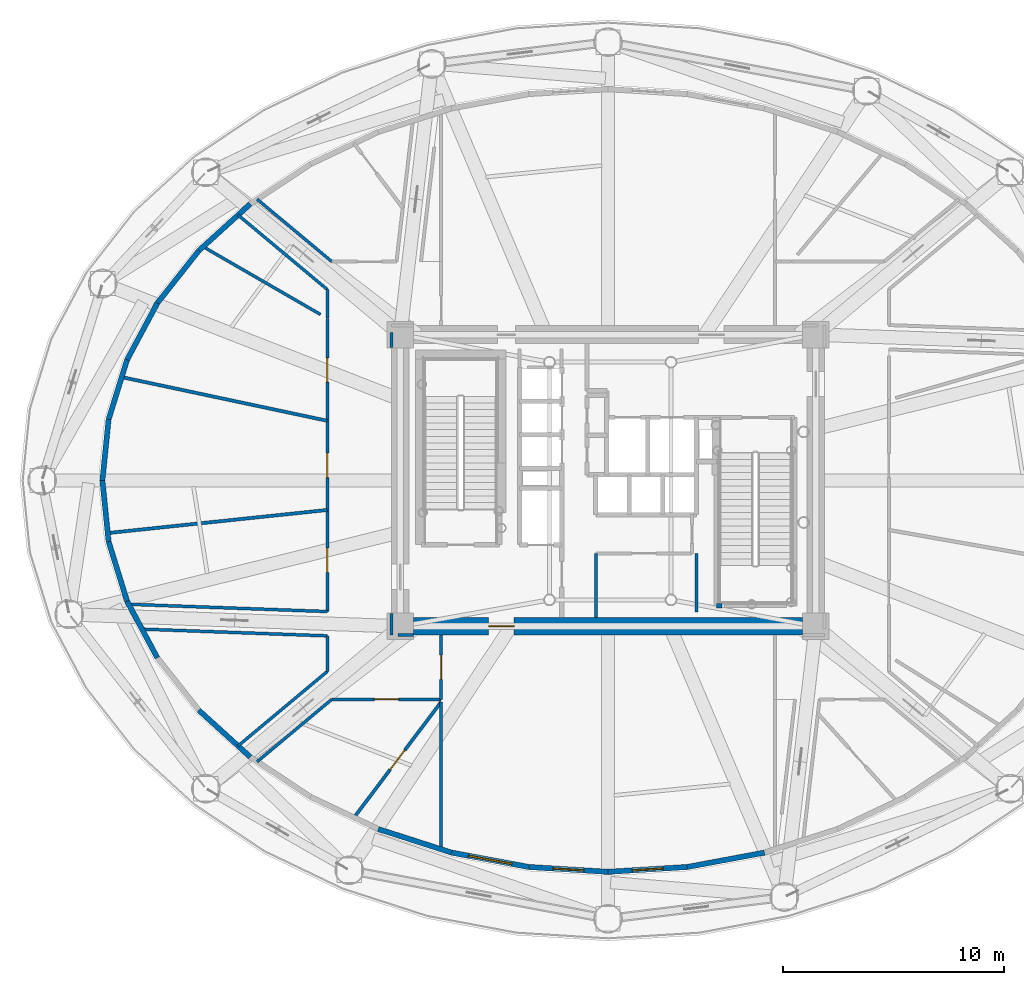
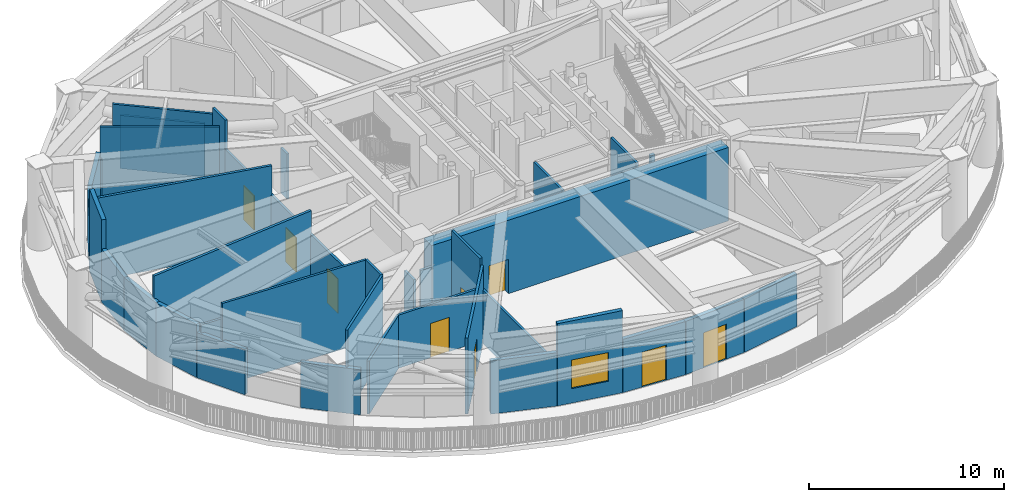
# One storey, part 10 of 20: 37 walls, 9 doors, 1 window, 10 openings.
"""IFC4 building model written with IfcOpenShell, lengths in metres."""

from ifc_helpers import new_model, si_unit, direction, frame, frame_2d, origin, origin_2d, place, context, subcontext, project, spatial, rectangle, extrude, source, transform, mapped, material, layer, layer_set, type_object, element, fill, save


model = new_model("IFC4")

# Units and contexts
model_context = context("Model", 3, precision=1e-05, world=origin(), true_north=direction((0.0, 1.0)))
body_context = subcontext(model_context, "Body", "Model", "MODEL_VIEW")
ifc_project = project(units=[si_unit("LENGTHUNIT", "METRE"), si_unit("AREAUNIT", "SQUARE_METRE"), si_unit("VOLUMEUNIT", "CUBIC_METRE"), si_unit("PLANEANGLEUNIT", "RADIAN"), si_unit("MASSUNIT", "GRAM", prefix="KILO")], contexts=[model_context])

# Site, building, storey
site_placement = place(None, origin())
site = spatial("IfcSite", under=ifc_project, at=site_placement, CompositionType="ELEMENT")
building_placement = place(site_placement, origin())
building = spatial("IfcBuilding", under=site, at=building_placement, Name="Linh Dai School and Residence Tower", CompositionType="ELEMENT")
storey_placement = place(building_placement, frame((0.0, 0.0, 204.89990234375)))
storey = spatial("IfcBuildingStorey", under=building, at=storey_placement, Name="L50", CompositionType="ELEMENT", Elevation=204.89990234375)

# Walls
ifc_material_1 = material(Name="Precast Concrete B45 (C35/45)", Category="concrete")
ifc_layer_1 = layer(ifc_material_1, 0.239990234375)
ifc_layer_set_1 = layer_set([ifc_layer_1], Name="Precast Concrete B45 (C35/45)")
wall_type_1 = type_object("IfcWallType", Name="EW-TC-240", PredefinedType="SOLIDWALL", material=ifc_layer_set_1)
wall_1_placement = place(storey_placement, frame((17.48388671875, 37.394775390625, 0.0), z_axis=(0.0, 0.0, 1.0), x_axis=(0.740466603827, 0.672093154716, 0.0)))
element("IfcWall", 1, at=wall_1_placement, inside=storey, type_object=wall_type_1, Name="L50 Terracotta Exterior Wall 16", PredefinedType="SOLIDWALL", context=body_context, shape_type="SweptSolid", body=[
    extrude(rectangle(XDim=3.145751953125, YDim=0.239990234375, at=frame_2d((1.57275390625, 0.0))), origin(), (0.0, 0.0, 1.0), 2.83203125),
])
wall_2_placement = place(storey_placement, frame((15.611328125, 35.02587890625, 0.0), z_axis=(0.0, 0.0, 1.0), x_axis=(0.620129139863, 0.784499744992, 0.0)))
element("IfcWall", 2, at=wall_2_placement, inside=storey, type_object=wall_type_1, Name="L50 Terracotta Exterior Wall 17", PredefinedType="SOLIDWALL", context=body_context, shape_type="SweptSolid", body=[
    extrude(rectangle(XDim=3.01953125, YDim=0.239990234375, at=frame_2d((1.509765625, 0.0))), origin(), (0.0, 0.0, 1.0), 3.335205078125),
])
wall_3_placement = place(storey_placement, frame((14.240966796875, 32.46142578125, 0.0), z_axis=(0.0, 0.0, 1.0), x_axis=(0.471298448495, 0.881973793514, 0.0)))
element("IfcWall", 3, at=wall_3_placement, inside=storey, type_object=wall_type_1, Name="L50 Terracotta Exterior Wall 18", PredefinedType="SOLIDWALL", context=body_context, shape_type="SweptSolid", body=[
    extrude(rectangle(XDim=2.90771484375, YDim=0.239990234375, at=frame_2d((1.453857421875, 0.0))), origin(), (0.0, 0.0, 1.0), 3.335205078125),
])
wall_4_placement = place(storey_placement, frame((13.40576171875, 29.76416015625, 0.0), z_axis=(0.0, 0.0, 1.0), x_axis=(0.295792689333, 0.955252157777, 0.0)))
element("IfcWall", 4, at=wall_4_placement, inside=storey, type_object=wall_type_1, Name="L50 Terracotta Exterior Wall 19", PredefinedType="SOLIDWALL", context=body_context, shape_type="SweptSolid", body=[
    extrude(rectangle(XDim=2.82373046875, YDim=0.239990234375, at=frame_2d((1.411865234375, 0.0))), origin(), (0.0, 0.0, 1.0), 5.150146484375),
])
for number, where, z_axis, x_axis, name in (
    (5, (13.125, 27.0, 0.0), (0.0, 0.0, 1.0), (0.101052224945, 0.994881122463, 0.0), "L50 Terracotta Exterior Wall 20"),
    (6, (13.40576171875, 24.23583984375, 0.0), (0.0, 0.0, 1.0), (-0.101052224945, 0.994881122463, 0.0), "L50 Terracotta Exterior Wall 21"),
):
    element("IfcWall", number, at=place(storey_placement, frame(where, z_axis=z_axis, x_axis=x_axis)), inside=storey, type_object=wall_type_1, Name=name, PredefinedType="SOLIDWALL", context=body_context, shape_type="SweptSolid", body=[
        extrude(rectangle(XDim=2.7783203125, YDim=0.239990234375, at=frame_2d((1.38916015625, 0.0))), origin(), (0.0, 0.0, 1.0), 3.335205078125),
    ])
wall_5_placement = place(storey_placement, frame((14.240966796875, 21.53857421875, 0.0), z_axis=(0.0, 0.0, 1.0), x_axis=(-0.295792689333, 0.955252157777, 0.0)))
element("IfcWall", 7, at=wall_5_placement, inside=storey, type_object=wall_type_1, Name="L50 Terracotta Exterior Wall 22", PredefinedType="SOLIDWALL", context=body_context, shape_type="SweptSolid", body=[
    extrude(rectangle(XDim=2.82373046875, YDim=0.239990234375, at=frame_2d((1.411865234375, 0.0))), origin(), (0.0, 0.0, 1.0), 3.335205078125),
])
wall_6_placement = place(storey_placement, frame((15.611328125, 18.97412109375, 0.0), z_axis=(0.0, 0.0, 1.0), x_axis=(-0.471298448495, 0.881973793514, 0.0)))
element("IfcWall", 8, at=wall_6_placement, inside=storey, type_object=wall_type_1, Name="L50 Terracotta Exterior Wall 23", PredefinedType="SOLIDWALL", context=body_context, shape_type="SweptSolid", body=[
    extrude(rectangle(XDim=2.90771484375, YDim=0.239990234375, at=frame_2d((1.453857421875, 0.0))), origin(), (0.0, 0.0, 1.0), 2.83203125),
])
wall_7_placement = place(storey_placement, frame((19.813232421875, 14.490966796875, 0.0), z_axis=(0.0, 0.0, 1.0), x_axis=(-0.740466603827, 0.672093154716, 0.0)))
element("IfcWall", 9, at=wall_7_placement, inside=storey, type_object=wall_type_1, Name="L50 Terracotta Exterior Wall 25", PredefinedType="SOLIDWALL", context=body_context, shape_type="SweptSolid", body=[
    extrude(rectangle(XDim=3.145751953125, YDim=0.239990234375, at=frame_2d((1.57275390625, 0.0))), origin(), (0.0, 0.0, 1.0), 2.83203125),
])
wall_8_placement = place(storey_placement, frame((28.923095703125, 10.163818359375, 0.0), z_axis=(0.0, 0.0, 1.0), x_axis=(-0.952120339323, 0.305723501629, 0.0)))
element("IfcWall", 10, at=wall_8_placement, inside=storey, type_object=wall_type_1, Name="L50 Terracotta Exterior Wall 28", PredefinedType="SOLIDWALL", context=body_context, shape_type="SweptSolid", body=[
    extrude(rectangle(XDim=3.48583984375, YDim=0.239990234375, at=frame_2d((1.742919921875, 0.0))), origin(), (0.0, 0.0, 1.0), 3.335205078125),
])

# Wall, opening, window
wall_9_placement = place(storey_placement, frame((32.417236328125, 9.513671875, 0.0), z_axis=(0.0, 0.0, 1.0), x_axis=(-0.983126314823, 0.182927988847, 0.0)))
wall_9 = element("IfcWall", 11, at=wall_9_placement, inside=storey, type_object=wall_type_1, Name="L50 Terracotta Exterior Wall 29", PredefinedType="SOLIDWALL", context=body_context, shape_type="SweptSolid", body=[
    extrude(rectangle(XDim=3.55419921875, YDim=0.239990234375, at=frame_2d((1.777099609375, 0.0))), origin(), (0.0, 0.0, 1.0), 5.150146484375),
])
opening_1_placement = place(wall_9_placement, frame((0.777099609375, 0.0, 0.89990234375)))
opening_1 = element("IfcOpeningElement", 12, at=opening_1_placement, cuts=wall_9, Name="Opening W5", PredefinedType="OPENING", context=body_context, shape_type="SweptSolid", body=[
    extrude(rectangle(XDim=2.0, YDim=1.800048828125, at=origin_2d()), frame((1.0, 0.1298828125, 0.89990234375), z_axis=(0.0, -1.0, 0.0), x_axis=(1.0, 0.0, 0.0)), (0.0, 0.0, 1.0), 0.260009765625),
])
ifc_material_2 = material(Name="Anodised Aluminium Weather Louvre", Category="aluminium")
window_type = type_object("IfcWindowType", Name="WN-LV-2000x1800", PartitioningType="SINGLE_PANEL", PredefinedType="USERDEFINED", material=ifc_material_2)
shared_shape_1 = source(origin(), body_context, "Body", "SweptSolid", [
    extrude(rectangle(XDim=2.0, YDim=1.800048828125, at=origin_2d()), frame((1.0, 0.030029296875, 0.89990234375), z_axis=(0.0, -1.0, 0.0), x_axis=(1.0, 0.0, 0.0)), (0.0, 0.0, 1.0), 0.06005859375),
])
window_placement = place(opening_1_placement, origin())
window = element("IfcWindow", 13, at=window_placement, inside=storey, type_object=window_type, Name="L50 Plant Weather Louvre 29", ObjectType="LOUVRE VENT", OverallHeight=1.800048828125, OverallWidth=2.0, PartitioningType="SINGLE_PANEL", PredefinedType="USERDEFINED", context=body_context, shape_type="MappedRepresentation", body=[
    mapped(shared_shape_1, transform((0.0, 0.0, 0.0), x_axis=(1.0, 0.0, 0.0), y_axis=(0.0, 1.0, 0.0), z_axis=(0.0, 0.0, 1.0), scale=1.0)),
])
fill(opening_1, window)

# Wall, opening, door
wall_10_placement = place(storey_placement, frame((36.0, 9.294921875, 0.0), z_axis=(0.0, 0.0, 1.0), x_axis=(-0.998141264339, 0.060942730688, 0.0)))
wall_10 = element("IfcWall", 14, at=wall_10_placement, inside=storey, type_object=wall_type_1, Name="L50 Terracotta Exterior Wall 30", PredefinedType="SOLIDWALL", context=body_context, shape_type="SweptSolid", body=[
    extrude(rectangle(XDim=3.58935546875, YDim=0.239990234375, at=frame_2d((1.794677734375, 0.0))), origin(), (0.0, 0.0, 1.0), 3.335205078125),
])
opening_2_placement = place(wall_10_placement, frame((1.0947265625, 0.0, 0.0)))
opening_2 = element("IfcOpeningElement", 15, at=opening_2_placement, cuts=wall_10, Name="Opening DD1", PredefinedType="OPENING", context=body_context, shape_type="SweptSolid", body=[
    extrude(rectangle(XDim=1.39990234375, YDim=2.199951171875, at=origin_2d()), frame((0.699951171875, 0.1298828125, 1.10009765625), z_axis=(0.0, -1.0, 0.0), x_axis=(1.0, 0.0, 0.0)), (0.0, 0.0, 1.0), 0.260009765625),
])
ifc_material_3 = material(Name="Glazed Aluminium Terrace Door", Category="aluminium")
door_type_1 = type_object("IfcDoorType", Name="DR-DECK-1400x2200", OperationType="NOTDEFINED", PredefinedType="DOOR", material=ifc_material_3)
shared_shape_2 = source(origin(), body_context, "Body", "SweptSolid", [
    extrude(rectangle(XDim=1.39990234375, YDim=2.199951171875, at=origin_2d()), frame((0.699951171875, 0.02490234375, 1.10009765625), z_axis=(0.0, -1.0, 0.0), x_axis=(1.0, 0.0, 0.0)), (0.0, 0.0, 1.0), 0.050048828125),
])
door_1_placement = place(opening_2_placement, origin())
door_1 = element("IfcDoor", 16, at=door_1_placement, inside=storey, type_object=door_type_1, Name="L50 Outdoor Terrace Access Door 30", OperationType="SINGLE_SWING_LEFT", OverallHeight=2.199951171875, OverallWidth=1.39990234375, PredefinedType="DOOR", context=body_context, shape_type="MappedRepresentation", body=[
    mapped(shared_shape_2, transform((0.0, 0.0, 0.0), x_axis=(1.0, 0.0, 0.0), y_axis=(0.0, 1.0, 0.0), z_axis=(0.0, 0.0, 1.0), scale=1.0)),
])
fill(opening_2, door_1)

wall_11_placement = place(storey_placement, frame((39.582763671875, 9.513671875, 0.0), z_axis=(0.0, 0.0, 1.0), x_axis=(-0.998141264339, -0.060942730688, 0.0)))
wall_11 = element("IfcWall", 17, at=wall_11_placement, inside=storey, type_object=wall_type_1, Name="L50 Terracotta Exterior Wall 31", PredefinedType="SOLIDWALL", context=body_context, shape_type="SweptSolid", body=[
    extrude(rectangle(XDim=3.58935546875, YDim=0.239990234375, at=frame_2d((1.794677734375, 0.0))), origin(), (0.0, 0.0, 1.0), 3.335205078125),
])
opening_3_placement = place(wall_11_placement, frame((1.0947265625, 0.0, 0.0)))
opening_3 = element("IfcOpeningElement", 18, at=opening_3_placement, cuts=wall_11, Name="Opening DD1", PredefinedType="OPENING", context=body_context, shape_type="SweptSolid", body=[
    extrude(rectangle(XDim=1.39990234375, YDim=2.199951171875, at=origin_2d()), frame((0.699951171875, 0.1298828125, 1.10009765625), z_axis=(0.0, -1.0, 0.0), x_axis=(1.0, 0.0, 0.0)), (0.0, 0.0, 1.0), 0.260009765625),
])
door_2_placement = place(opening_3_placement, origin())
door_2 = element("IfcDoor", 19, at=door_2_placement, inside=storey, type_object=door_type_1, Name="L50 Outdoor Terrace Access Door 31", OperationType="SINGLE_SWING_RIGHT", OverallHeight=2.199951171875, OverallWidth=1.39990234375, PredefinedType="DOOR", context=body_context, shape_type="MappedRepresentation", body=[
    mapped(shared_shape_2, transform((0.0, 0.0, 0.0), x_axis=(1.0, 0.0, 0.0), y_axis=(0.0, 1.0, 0.0), z_axis=(0.0, 0.0, 1.0), scale=1.0)),
])
fill(opening_3, door_2)

# Walls
wall_12_placement = place(storey_placement, frame((43.076904296875, 10.163818359375, 0.0), z_axis=(0.0, 0.0, 1.0), x_axis=(-0.983126314823, -0.182927988847, 0.0)))
element("IfcWall", 20, at=wall_12_placement, inside=storey, type_object=wall_type_1, Name="L50 Terracotta Exterior Wall 32", PredefinedType="SOLIDWALL", context=body_context, shape_type="SweptSolid", body=[
    extrude(rectangle(XDim=3.55419921875, YDim=0.239990234375, at=frame_2d((1.777099609375, 0.0))), origin(), (0.0, 0.0, 1.0), 3.335205078125),
])
ifc_material_4 = material(Name="Autoclaved Aerated Concrete Blockwork", Category="masonry")
ifc_layer_2 = layer(ifc_material_4, 0.135009765625)
ifc_layer_set_2 = layer_set([ifc_layer_2], Name="Autoclaved Aerated Concrete Blockwork")
wall_type_2 = type_object("IfcWallType", Name="IW-CORR-135-EI90", PredefinedType="PARTITIONING", material=ifc_layer_set_2)
wall_13_placement = place(storey_placement, frame((14.31005859375, 21.39892578125, 0.0), z_axis=(0.0, 0.0, 1.0), x_axis=(0.999334578921, -0.036474640145, 0.0)))
element("IfcWall", 21, at=wall_13_placement, inside=storey, type_object=wall_type_2, Name="L50 Interior Partition Wall 003", PredefinedType="PARTITIONING", context=body_context, shape_type="SweptSolid", body=[
    extrude(rectangle(XDim=8.99609375, YDim=0.135009765625, at=frame_2d((4.498046875, 0.0))), origin(), (0.0, 0.0, 1.0), 3.335205078125),
])
for number, where, z_axis, x_axis, name in (
    (22, (20.126220703125, 14.27783203125, 0.0), (0.0, 0.0, 1.0), (0.767584642719, 0.640947592446, 0.0), "L50 Interior Partition Wall 004"),
    (23, (20.126220703125, 39.72216796875, 0.0), (0.0, 0.0, 1.0), (0.767584642719, -0.640947592446, 0.0), "L50 Interior Partition Wall 005"),
):
    element("IfcWall", number, at=place(storey_placement, frame(where, z_axis=z_axis, x_axis=x_axis)), inside=storey, type_object=wall_type_2, Name=name, PredefinedType="PARTITIONING", context=body_context, shape_type="SweptSolid", body=[
        extrude(rectangle(XDim=4.4033203125, YDim=0.135009765625, at=frame_2d((2.20166015625, 0.0))), origin(), (0.0, 0.0, 1.0), 3.335205078125),
    ])

# Wall, openings, doors
wall_14_placement = place(storey_placement, frame((23.300048828125, 21.07080078125, 0.0), z_axis=(0.0, 0.0, 1.0), x_axis=(0.0, 1.0, 0.0)))
wall_14 = element("IfcWall", 24, at=wall_14_placement, inside=storey, type_object=wall_type_2, Name="L50 Interior Partition Wall 006", PredefinedType="PARTITIONING", context=body_context, shape_type="SweptSolid", body=[
    extrude(rectangle(XDim=13.261474609375, YDim=0.135009765625, at=frame_2d((6.630859375, 0.0))), origin(), (0.0, 0.0, 1.0), 3.335205078125),
])
opening_4_placement = place(wall_14_placement, frame((10.375, 0.0, 0.0)))
opening_4 = element("IfcOpeningElement", 25, at=opening_4_placement, cuts=wall_14, Name="Opening D07", PredefinedType="OPENING", context=body_context, shape_type="SweptSolid", body=[
    extrude(rectangle(XDim=1.10009765625, YDim=2.14990234375, at=origin_2d()), frame((0.550048828125, 0.07763671875, 1.074951171875), z_axis=(0.0, -1.0, 0.0), x_axis=(1.0, 0.0, 0.0)), (0.0, 0.0, 1.0), 0.155029296875),
])
opening_5_placement = place(wall_14_placement, frame((6.0615234375, 0.0, 0.0)))
opening_5 = element("IfcOpeningElement", 26, at=opening_5_placement, cuts=wall_14, Name="Opening D07", PredefinedType="OPENING", context=body_context, shape_type="SweptSolid", body=[
    extrude(rectangle(XDim=1.10009765625, YDim=2.14990234375, at=origin_2d()), frame((0.550048828125, 0.07763671875, 1.074951171875), z_axis=(0.0, -1.0, 0.0), x_axis=(1.0, 0.0, 0.0)), (0.0, 0.0, 1.0), 0.155029296875),
])
opening_6_placement = place(wall_14_placement, frame((1.76708984375, 0.0, 0.0)))
opening_6 = element("IfcOpeningElement", 27, at=opening_6_placement, cuts=wall_14, Name="Opening D07", PredefinedType="OPENING", context=body_context, shape_type="SweptSolid", body=[
    extrude(rectangle(XDim=1.10009765625, YDim=2.14990234375, at=origin_2d()), frame((0.550048828125, 0.07763671875, 1.074951171875), z_axis=(0.0, -1.0, 0.0), x_axis=(1.0, 0.0, 0.0)), (0.0, 0.0, 1.0), 0.155029296875),
])
ifc_material_5 = material(Name="Fire-Rated Louvred Steel Plant Door", Category="steel")
door_type_2 = type_object("IfcDoorType", Name="DR-PLT-1100x2150-FD60S", OperationType="NOTDEFINED", PredefinedType="DOOR", material=ifc_material_5)
shared_shape_3 = source(origin(), body_context, "Body", "SweptSolid", [
    extrude(rectangle(XDim=1.10009765625, YDim=2.14990234375, at=origin_2d()), frame((0.550048828125, 0.02490234375, 1.074951171875), z_axis=(0.0, -1.0, 0.0), x_axis=(1.0, 0.0, 0.0)), (0.0, 0.0, 1.0), 0.050048828125),
])
door_3_placement = place(opening_4_placement, origin())
door_3 = element("IfcDoor", 28, at=door_3_placement, inside=storey, type_object=door_type_2, Name="L50 Heat-Recovery Ventilation Plant Room West 1 Door", OperationType="SINGLE_SWING_LEFT", OverallHeight=2.14990234375, OverallWidth=1.10009765625, PredefinedType="DOOR", context=body_context, shape_type="MappedRepresentation", body=[
    mapped(shared_shape_3, transform((0.0, 0.0, 0.0), x_axis=(1.0, 0.0, 0.0), y_axis=(0.0, 1.0, 0.0), z_axis=(0.0, 0.0, 1.0), scale=1.0)),
])
fill(opening_4, door_3)
door_4_placement = place(opening_5_placement, origin())
door_4 = element("IfcDoor", 29, at=door_4_placement, inside=storey, type_object=door_type_2, Name="L50 Chilled-Water Heat-Exchanger Plant Room West Door", OperationType="SINGLE_SWING_RIGHT", OverallHeight=2.14990234375, OverallWidth=1.10009765625, PredefinedType="DOOR", context=body_context, shape_type="MappedRepresentation", body=[
    mapped(shared_shape_3, transform((0.0, 0.0, 0.0), x_axis=(1.0, 0.0, 0.0), y_axis=(0.0, 1.0, 0.0), z_axis=(0.0, 0.0, 1.0), scale=1.0)),
])
fill(opening_5, door_4)
door_5_placement = place(opening_6_placement, origin())
door_5 = element("IfcDoor", 30, at=door_5_placement, inside=storey, type_object=door_type_2, Name="L50 Heat-Recovery Ventilation Plant Room West 2 Door", OperationType="SINGLE_SWING_LEFT", OverallHeight=2.14990234375, OverallWidth=1.10009765625, PredefinedType="DOOR", context=body_context, shape_type="MappedRepresentation", body=[
    mapped(shared_shape_3, transform((0.0, 0.0, 0.0), x_axis=(1.0, 0.0, 0.0), y_axis=(0.0, 1.0, 0.0), z_axis=(0.0, 0.0, 1.0), scale=1.0)),
])
fill(opening_6, door_5)

# Wall, opening, door
wall_15_placement = place(storey_placement, frame((23.506103515625, 17.10009765625, 0.0), z_axis=(0.0, 0.0, 1.0), x_axis=(1.0, 0.0, 0.0)))
wall_15 = element("IfcWall", 31, at=wall_15_placement, inside=storey, type_object=wall_type_2, Name="L50 Interior Partition Wall 007", PredefinedType="PARTITIONING", context=body_context, shape_type="SweptSolid", body=[
    extrude(rectangle(XDim=4.94384765625, YDim=0.135009765625, at=frame_2d((2.471923828125, 0.0))), origin(), (0.0, 0.0, 1.0), 3.335205078125),
])
opening_7_placement = place(wall_15_placement, frame((1.922119140625, 0.0, 0.0)))
opening_7 = element("IfcOpeningElement", 32, at=opening_7_placement, cuts=wall_15, Name="Opening D07", PredefinedType="OPENING", context=body_context, shape_type="SweptSolid", body=[
    extrude(rectangle(XDim=1.10009765625, YDim=2.14990234375, at=origin_2d()), frame((0.550048828125, 0.07763671875, 1.074951171875), z_axis=(0.0, -1.0, 0.0), x_axis=(1.0, 0.0, 0.0)), (0.0, 0.0, 1.0), 0.155029296875),
])
door_6_placement = place(opening_7_placement, origin())
door_6 = element("IfcDoor", 33, at=door_6_placement, inside=storey, type_object=door_type_2, Name="L50 Stair Pressurisation Fan Plant Room Door", OperationType="SINGLE_SWING_RIGHT", OverallHeight=2.14990234375, OverallWidth=1.10009765625, PredefinedType="DOOR", context=body_context, shape_type="MappedRepresentation", body=[
    mapped(shared_shape_3, transform((0.0, 0.0, 0.0), x_axis=(1.0, 0.0, 0.0), y_axis=(0.0, 1.0, 0.0), z_axis=(0.0, 0.0, 1.0), scale=1.0)),
])
fill(opening_7, door_6)

# Wall
wall_16_placement = place(storey_placement, frame((28.449951171875, 10.310546875, 0.0), z_axis=(0.0, 0.0, 1.0), x_axis=(0.0, 1.0, 0.0)))
element("IfcWall", 34, at=wall_16_placement, inside=storey, type_object=wall_type_2, Name="L50 Interior Partition Wall 013", PredefinedType="PARTITIONING", context=body_context, shape_type="SweptSolid", body=[
    extrude(rectangle(XDim=6.670166015625, YDim=0.135009765625, at=frame_2d((3.3349609375, 0.0))), origin(), (0.0, 0.0, 1.0), 3.335205078125),
])

# Wall, opening, door
wall_17_placement = place(storey_placement, frame((28.449951171875, 17.10009765625, 0.0), z_axis=(0.0, 0.0, 1.0), x_axis=(0.0, 1.0, 0.0)))
wall_17 = element("IfcWall", 35, at=wall_17_placement, inside=storey, type_object=wall_type_2, Name="L50 Interior Partition Wall 014", PredefinedType="PARTITIONING", context=body_context, shape_type="SweptSolid", body=[
    extrude(rectangle(XDim=2.89990234375, YDim=0.135009765625, at=frame_2d((1.449951171875, 0.0))), origin(), (0.0, 0.0, 1.0), 5.150146484375),
])
opening_8_placement = place(wall_17_placement, frame((0.89990234375, 0.0, 0.0)))
opening_8 = element("IfcOpeningElement", 36, at=opening_8_placement, cuts=wall_17, Name="Opening D07", PredefinedType="OPENING", context=body_context, shape_type="SweptSolid", body=[
    extrude(rectangle(XDim=1.10009765625, YDim=2.14990234375, at=origin_2d()), frame((0.550048828125, 0.07763671875, 1.074951171875), z_axis=(0.0, -1.0, 0.0), x_axis=(1.0, 0.0, 0.0)), (0.0, 0.0, 1.0), 0.155029296875),
])
door_7_placement = place(opening_8_placement, origin())
door_7 = element("IfcDoor", 37, at=door_7_placement, inside=storey, type_object=door_type_2, Name="L50 Pressurised Fire Refuge Area South Corridor Door", OperationType="SINGLE_SWING_LEFT", OverallHeight=2.14990234375, OverallWidth=1.10009765625, PredefinedType="DOOR", context=body_context, shape_type="MappedRepresentation", body=[
    mapped(shared_shape_3, transform((0.0, 0.0, 0.0), x_axis=(1.0, 0.0, 0.0), y_axis=(0.0, 1.0, 0.0), z_axis=(0.0, 0.0, 1.0), scale=1.0)),
])
fill(opening_8, door_7)

# Walls
wall_18_placement = place(storey_placement, frame((35.449951171875, 20.800048828125, 0.0), z_axis=(0.0, 0.0, 1.0), x_axis=(0.0, 1.0, 0.0)))
element("IfcWall", 38, at=wall_18_placement, inside=storey, type_object=wall_type_2, Name="L50 Interior Partition Wall 030", PredefinedType="PARTITIONING", context=body_context, shape_type="SweptSolid", body=[
    extrude(rectangle(XDim=2.89990234375, YDim=0.135009765625, at=frame_2d((1.449951171875, 0.0))), origin(), (0.0, 0.0, 1.0), 4.735107421875),
])
wall_19_placement = place(storey_placement, frame((40.0, 23.699951171875, 0.0), z_axis=(0.0, 0.0, 1.0), x_axis=(0.0, -1.0, 0.0)))
element("IfcWall", 39, at=wall_19_placement, inside=storey, type_object=wall_type_2, Name="L50 Interior Partition Wall 057", PredefinedType="PARTITIONING", context=body_context, shape_type="SweptSolid", body=[
    extrude(rectangle(XDim=2.639892578125, YDim=0.135009765625, at=frame_2d((1.31982421875, 0.0))), origin(), (0.0, 0.0, 1.0), 4.68505859375),
])
wall_20_placement = place(storey_placement, frame((19.25927734375, 14.987060546875, 0.0), z_axis=(0.0, 0.0, 1.0), x_axis=(0.767593674455, 0.640936776084, 0.0)))
element("IfcWall", 40, at=wall_20_placement, inside=storey, type_object=wall_type_2, Name="L50 Interior Partition Wall 062", PredefinedType="PARTITIONING", context=body_context, shape_type="SweptSolid", body=[
    extrude(rectangle(XDim=5.26416015625, YDim=0.135009765625, at=frame_2d((2.632080078125, 0.0))), origin(), (0.0, 0.0, 1.0), 5.150146484375),
])
wall_21_placement = place(storey_placement, frame((23.300048828125, 18.361083984375, 0.0), z_axis=(0.0, 0.0, 1.0), x_axis=(0.0, 1.0, 0.0)))
element("IfcWall", 41, at=wall_21_placement, inside=storey, type_object=wall_type_2, Name="L50 Interior Partition Wall 063", PredefinedType="PARTITIONING", context=body_context, shape_type="SweptSolid", body=[
    extrude(rectangle(XDim=1.60888671875, YDim=0.135009765625, at=frame_2d((0.804443359375, 0.0))), origin(), (0.0, 0.0, 1.0), 5.150146484375),
])
wall_22_placement = place(storey_placement, frame((23.300048828125, 19.969970703125, 0.0), z_axis=(0.0, 0.0, 1.0), x_axis=(-0.999334920323, 0.036465285168, 0.0)))
element("IfcWall", 42, at=wall_22_placement, inside=storey, type_object=wall_type_2, Name="L50 Interior Partition Wall 064", PredefinedType="PARTITIONING", context=body_context, shape_type="SweptSolid", body=[
    extrude(rectangle(XDim=8.395751953125, YDim=0.135009765625, at=frame_2d((4.19775390625, 0.0))), origin(), (0.0, 0.0, 1.0), 5.150146484375),
])
wall_23_placement = place(storey_placement, frame((23.300048828125, 34.34228515625, 0.0), z_axis=(0.0, 0.0, 1.0), x_axis=(0.0, 1.0, 0.0)))
element("IfcWall", 43, at=wall_23_placement, inside=storey, type_object=wall_type_2, Name="L50 Interior Partition Wall 065", PredefinedType="PARTITIONING", context=body_context, shape_type="SweptSolid", body=[
    extrude(rectangle(XDim=1.296630859375, YDim=0.135009765625, at=frame_2d((0.6484375, 0.0))), origin(), (0.0, 0.0, 1.0), 5.150146484375),
])
wall_24_placement = place(storey_placement, frame((23.300048828125, 35.638916015625, 0.0), z_axis=(0.0, 0.0, 1.0), x_axis=(-0.767593674455, 0.640936776084, 0.0)))
element("IfcWall", 44, at=wall_24_placement, inside=storey, type_object=wall_type_2, Name="L50 Interior Partition Wall 066", PredefinedType="PARTITIONING", context=body_context, shape_type="SweptSolid", body=[
    extrude(rectangle(XDim=5.26416015625, YDim=0.135009765625, at=frame_2d((2.632080078125, 0.0))), origin(), (0.0, 0.0, 1.0), 4.775146484375),
])
wall_25_placement = place(storey_placement, frame((26.199951171875, 33.6923828125, 0.0), z_axis=(0.0, 0.0, 1.0), x_axis=(0.0, -1.0, 0.0)))
element("IfcWall", 45, at=wall_25_placement, inside=storey, type_object=wall_type_2, Name="L50 Interior Partition Wall 069", PredefinedType="PARTITIONING", context=body_context, shape_type="SweptSolid", body=[
    extrude(rectangle(XDim=0.682373046875, YDim=0.135009765625, at=frame_2d((0.34130859375, 0.0))), origin(), (0.0, 0.0, 1.0), 2.83203125),
])
wall_26_placement = place(storey_placement, frame((26.199951171875, 20.989990234375, 0.0), z_axis=(0.0, 0.0, 1.0), x_axis=(0.0, -1.0, 0.0)))
element("IfcWall", 46, at=wall_26_placement, inside=storey, type_object=wall_type_2, Name="L50 Interior Partition Wall 070", PredefinedType="PARTITIONING", context=body_context, shape_type="SweptSolid", body=[
    extrude(rectangle(XDim=0.989990234375, YDim=0.135009765625, at=frame_2d((0.4951171875, 0.0))), origin(), (0.0, 0.0, 1.0), 2.83203125),
])
wall_27_placement = place(storey_placement, frame((26.507568359375, 20.0, 0.0), z_axis=(0.0, 0.0, 1.0), x_axis=(1.0, 0.0, 0.0)))
element("IfcWall", 47, at=wall_27_placement, inside=storey, type_object=wall_type_2, Name="L50 Interior Partition Wall 071", PredefinedType="PARTITIONING", context=body_context, shape_type="SweptSolid", body=[
    extrude(rectangle(XDim=0.682373046875, YDim=0.135009765625, at=frame_2d((0.34130859375, 0.0))), origin(), (0.0, 0.0, 1.0), 3.335205078125),
])
wall_28_placement = place(storey_placement, frame((17.67822265625, 37.578125, 0.0), z_axis=(0.0, 0.0, 1.0), x_axis=(0.866011333796, -0.500024369143, 0.0)))
element("IfcWall", 48, at=wall_28_placement, inside=storey, type_object=wall_type_2, Name="L50 Interior Partition Wall 089", PredefinedType="PARTITIONING", context=body_context, shape_type="SweptSolid", body=[
    extrude(rectangle(XDim=6.136474609375, YDim=0.135009765625, at=frame_2d((3.068359375, 0.0))), origin(), (0.0, 0.0, 1.0), 4.775146484375),
])
ifc_layer_3 = layer(ifc_material_4, 0.14990234375)
ifc_layer_set_3 = layer_set([ifc_layer_3], Name="Autoclaved Aerated Concrete Blockwork")
wall_type_3 = type_object("IfcWallType", Name="IW-SCH-150-EI60", PredefinedType="PARTITIONING", material=ifc_layer_set_3)
wall_29_placement = place(storey_placement, frame((13.361572265625, 24.62060546875, 0.0), z_axis=(0.0, 0.0, 1.0), x_axis=(0.994520836792, 0.104538534456, 0.0)))
element("IfcWall", 49, at=wall_29_placement, inside=storey, type_object=wall_type_3, Name="L50 Interior Partition Wall 001", PredefinedType="PARTITIONING", context=body_context, shape_type="SweptSolid", body=[
    extrude(rectangle(XDim=9.9931640625, YDim=0.14990234375, at=frame_2d((4.99658203125, 0.0))), origin(), (0.0, 0.0, 1.0), 4.775146484375),
])
wall_30_placement = place(storey_placement, frame((13.9931640625, 31.677734375, 0.0), z_axis=(0.0, 0.0, 1.0), x_axis=(0.978146915509, -0.207914914519, 0.0)))
element("IfcWall", 50, at=wall_30_placement, inside=storey, type_object=wall_type_3, Name="L50 Interior Partition Wall 002", PredefinedType="PARTITIONING", context=body_context, shape_type="SweptSolid", body=[
    extrude(rectangle(XDim=9.514892578125, YDim=0.14990234375, at=frame_2d((4.75732421875, 0.0))), origin(), (0.0, 0.0, 1.0), 5.150146484375),
])

# Wall, opening, door
wall_31_placement = place(storey_placement, frame((24.50537109375, 11.74609375, 0.0), z_axis=(0.0, 0.0, 1.0), x_axis=(0.601816154286, 0.798634657675, 0.0)))
wall_31 = element("IfcWall", 51, at=wall_31_placement, inside=storey, type_object=wall_type_3, Name="L50 Interior Partition Wall 009", PredefinedType="PARTITIONING", context=body_context, shape_type="SweptSolid", body=[
    extrude(rectangle(XDim=6.554443359375, YDim=0.14990234375, at=frame_2d((3.27734375, 0.0))), origin(), (0.0, 0.0, 1.0), 4.775146484375),
])
opening_9_placement = place(wall_31_placement, frame((2.727294921875, 0.0, 0.0)))
opening_9 = element("IfcOpeningElement", 52, at=opening_9_placement, cuts=wall_31, Name="Opening D07", PredefinedType="OPENING", context=body_context, shape_type="SweptSolid", body=[
    extrude(rectangle(XDim=1.10009765625, YDim=2.14990234375, at=origin_2d()), frame((0.550048828125, 0.0849609375, 1.074951171875), z_axis=(0.0, -1.0, 0.0), x_axis=(1.0, 0.0, 0.0)), (0.0, 0.0, 1.0), 0.169921875),
])
door_8_placement = place(opening_9_placement, origin())
door_8 = element("IfcDoor", 53, at=door_8_placement, inside=storey, type_object=door_type_2, Name="L50 Smoke Extract Fan Plant Room Door", OperationType="SINGLE_SWING_LEFT", OverallHeight=2.14990234375, OverallWidth=1.10009765625, PredefinedType="DOOR", context=body_context, shape_type="MappedRepresentation", body=[
    mapped(shared_shape_3, transform((0.0, 0.0, 0.0), x_axis=(1.0, 0.0, 0.0), y_axis=(0.0, 1.0, 0.0), z_axis=(0.0, 0.0, 1.0), scale=1.0)),
])
fill(opening_9, door_8)

# Wall
ifc_material_6 = material(Name="Concrete B45 (C35/45)", Category="concrete")
ifc_layer_4 = layer(ifc_material_6, 0.199951171875)
ifc_layer_set_4 = layer_set([ifc_layer_4], Name="Concrete B45 (C35/45)")
wall_type_4 = type_object("IfcWallType", Name="IW-SHAFT-200-EI120", PredefinedType="PARTITIONING", material=ifc_layer_set_4)
wall_32_placement = place(storey_placement, frame((40.89990234375, 21.330078125, 0.0), z_axis=(0.0, 0.0, 1.0), x_axis=(1.0, 0.0, 0.0)))
element("IfcWall", 54, at=wall_32_placement, inside=storey, type_object=wall_type_4, Name="L50 Interior Partition Wall 043", PredefinedType="PARTITIONING", context=body_context, shape_type="SweptSolid", body=[
    extrude(rectangle(XDim=0.25, YDim=0.199951171875, at=frame_2d((0.125, 0.0))), origin(), (0.0, 0.0, 1.0), 4.68505859375),
])

# Wall, opening, door
ifc_material_7 = material(Name="Concrete B60 (C50/60)", Category="concrete")
ifc_layer_5 = layer(ifc_material_7, 0.800048828125)
ifc_layer_set_5 = layer_set([ifc_layer_5], Name="Concrete B60 (C50/60)")
wall_type_5 = type_object("IfcWallType", Name="WL-CORE800", PredefinedType="SHEAR", material=ifc_layer_set_5)
wall_33_placement = place(storey_placement, frame((44.800048828125, 20.39990234375, 0.0), z_axis=(0.0, 0.0, 1.0), x_axis=(-1.0, 0.0, 0.0)))
wall_33 = element("IfcWall", 55, at=wall_33_placement, inside=storey, type_object=wall_type_5, Name="L50 Central Core Shear Wall S", PredefinedType="SHEAR", context=body_context, shape_type="SweptSolid", body=[
    extrude(rectangle(XDim=17.60009765625, YDim=0.800048828125, at=frame_2d((8.800048828125, 0.0))), origin(), (0.0, 0.0, 1.0), 4.60009765625),
])
opening_10_placement = place(wall_33_placement, frame((13.050048828125, 0.0, 0.0)))
opening_10 = element("IfcOpeningElement", 56, at=opening_10_placement, cuts=wall_33, Name="Opening D02", PredefinedType="OPENING", context=body_context, shape_type="SweptSolid", body=[
    extrude(rectangle(XDim=1.14990234375, YDim=2.14990234375, at=origin_2d()), frame((0.574951171875, 0.41015625, 1.074951171875), z_axis=(0.0, -1.0, 0.0), x_axis=(1.0, 0.0, 0.0)), (0.0, 0.0, 1.0), 0.820068359375),
])
ifc_material_8 = material(Name="Fire-Rated Glazed Steel Lobby Door", Category="steel")
door_type_3 = type_object("IfcDoorType", Name="DR-LOBBY-1150x2150-FD90S", OperationType="NOTDEFINED", PredefinedType="DOOR", material=ifc_material_8)
shared_shape_4 = source(origin(), body_context, "Body", "SweptSolid", [
    extrude(rectangle(XDim=1.14990234375, YDim=2.14990234375, at=origin_2d()), frame((0.574951171875, 0.02490234375, 1.074951171875), z_axis=(0.0, -1.0, 0.0), x_axis=(1.0, 0.0, 0.0)), (0.0, 0.0, 1.0), 0.050048828125),
])
door_9_placement = place(opening_10_placement, origin())
door_9 = element("IfcDoor", 57, at=door_9_placement, inside=storey, type_object=door_type_3, Name="L50 Refuge Lobby Access Door", OperationType="SINGLE_SWING_RIGHT", OverallHeight=2.14990234375, OverallWidth=1.14990234375, PredefinedType="DOOR", context=body_context, shape_type="MappedRepresentation", body=[
    mapped(shared_shape_4, transform((0.0, 0.0, 0.0), x_axis=(1.0, 0.0, 0.0), y_axis=(0.0, 1.0, 0.0), z_axis=(0.0, 0.0, 1.0), scale=1.0)),
])
fill(opening_10, door_9)

save(model, "model.ifc")
